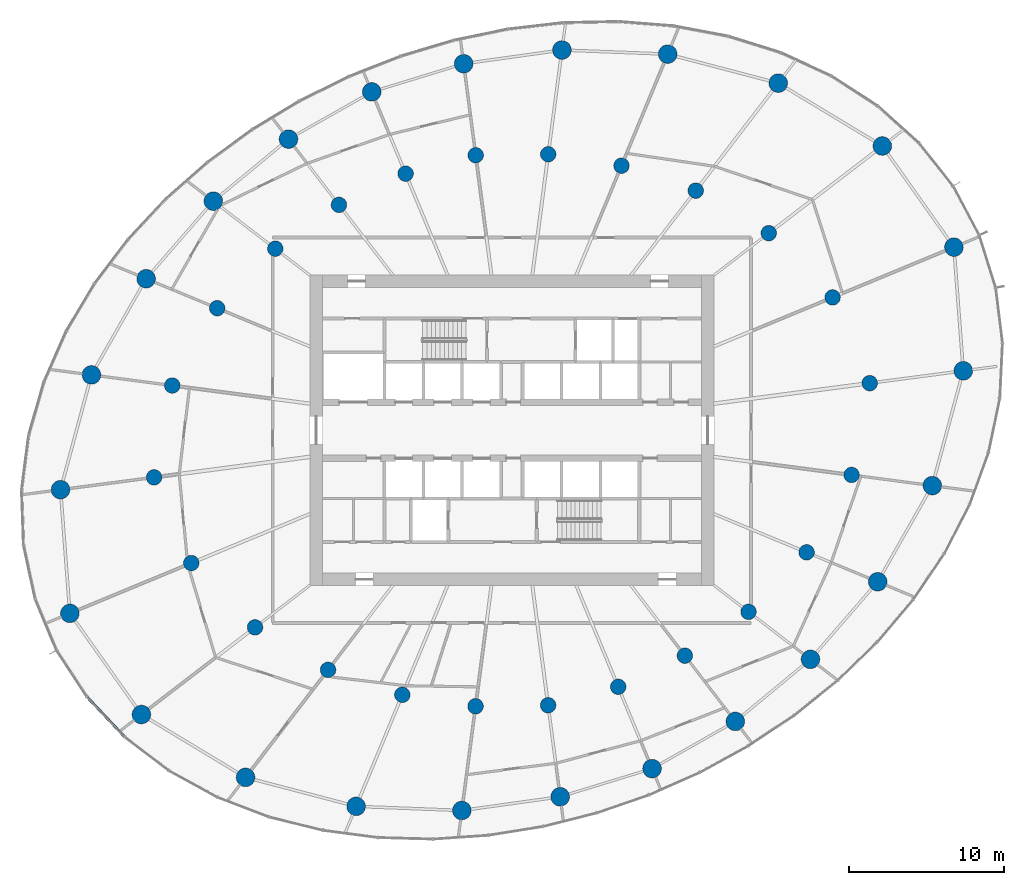
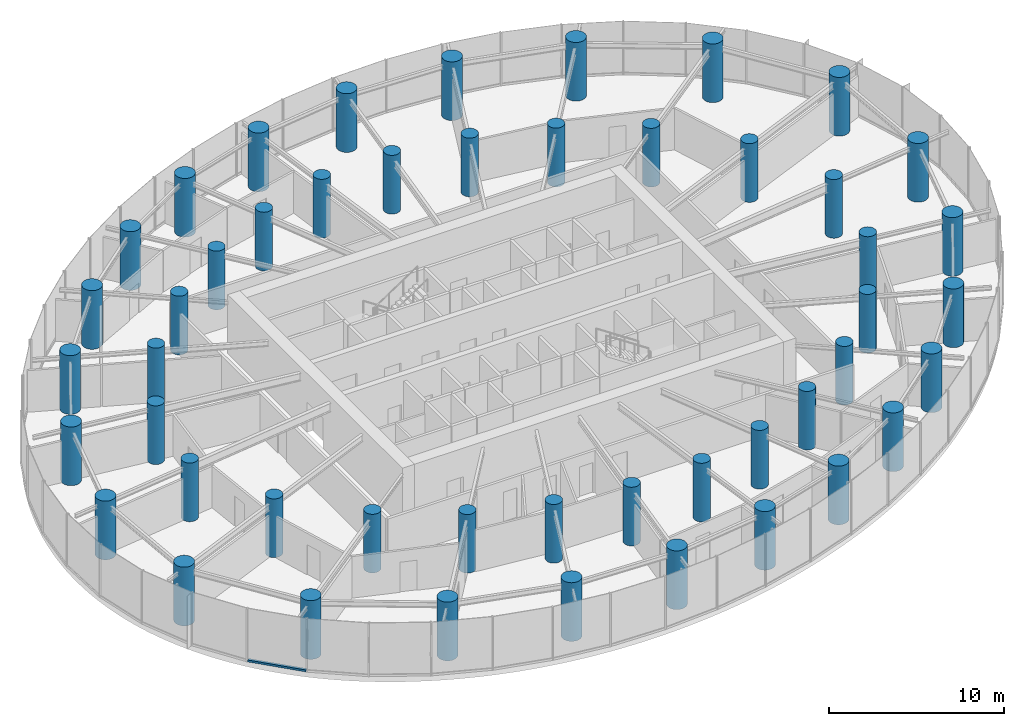
# One storey, part 1 of 17: 48 columns, 1 member, 1 element without a shape of its own.
"""IFC4 building model written with IfcOpenShell, lengths in metres."""

from ifc_helpers import new_model, si_unit, direction, frame, origin, origin_2d, place, context, subcontext, project, spatial, rectangle, circle, extrude, source, transform, mapped, material, layer, layer_set, material_profile, profile_set, type_object, element, aggregate, save


model = new_model("IFC4")

# Units and contexts
model_context = context("Model", 3, precision=1e-05, world=origin(), true_north=direction((0.0, 1.0)))
body_context = subcontext(model_context, "Body", "Model", "MODEL_VIEW")
ifc_project = project(units=[si_unit("LENGTHUNIT", "METRE"), si_unit("AREAUNIT", "SQUARE_METRE"), si_unit("VOLUMEUNIT", "CUBIC_METRE"), si_unit("PLANEANGLEUNIT", "RADIAN"), si_unit("MASSUNIT", "GRAM", prefix="KILO")], contexts=[model_context])

# Site, building, storey
site_placement = place(None, origin())
site = spatial("IfcSite", under=ifc_project, at=site_placement, CompositionType="ELEMENT")
building_placement = place(site_placement, origin())
building = spatial("IfcBuilding", under=site, at=building_placement, Name="Spindrift Exchange Tower", CompositionType="ELEMENT")
storey_placement = place(building_placement, frame((0.0, 0.0, 88.0)))
storey = spatial("IfcBuildingStorey", under=building, at=storey_placement, Name="L20", CompositionType="ELEMENT", Elevation=88.0)

# Columns
ifc_material_1 = material(Name="Concrete 65 MPa", Category="concrete")
ifc_material_profile_1 = material_profile(ifc_material_1, circle(Radius=0.60009765625, at=origin_2d()), Name="RC D1200")
ifc_profile_set_1 = profile_set([ifc_material_profile_1], Name="Concrete 65 MPa")
column_type_1 = type_object("IfcColumnType", Name="RC Perimeter Column D1200 Concrete 65 MPa", PredefinedType="COLUMN", material=ifc_profile_set_1)
shared_shape_1 = source(origin(), body_context, "Body", "SweptSolid", [
    extrude(circle(Radius=0.60009765625, at=origin_2d()), origin(), (0.0, 0.0, 1.0), 4.10009765625),
])
for number, where, z_axis, x_axis, name in (
    (1, (81.056396484375, 51.8251953125, 0.0), (0.0, 0.0, 1.0), (1.0, 0.0, 0.0), "Perimeter column P2-01 L20"),
    (2, (80.45556640625, 59.78662109375, 0.0), (0.0, 0.0, 1.0), (1.0, 0.0, 0.0), "Perimeter column P2-02 L20"),
    (3, (75.84814453125, 66.29931640625, 0.0), (0.0, 0.0, 1.0), (1.0, 0.0, 0.0), "Perimeter column P2-03 L20"),
    (4, (69.145751953125, 70.3447265625, 0.0), (0.0, 0.0, 1.0), (1.0, 0.0, 0.0), "Perimeter column P2-04 L20"),
    (5, (62.029052734375, 72.212158203125, 0.0), (0.0, 0.0, 1.0), (1.0, 0.0, 0.0), "Perimeter column P2-05 L20"),
    (6, (55.222412109375, 72.476806640625, 0.0), (0.0, 0.0, 1.0), (1.0, 0.0, 0.0), "Perimeter column P2-06 L20"),
    (7, (48.8935546875, 71.595458984375, 0.0), (0.0, 0.0, 1.0), (1.0, 0.0, 0.0), "Perimeter column P2-07 L20"),
    (8, (42.978271484375, 69.780517578125, 0.0), (0.0, 0.0, 1.0), (1.0, 0.0, 0.0), "Perimeter column P2-08 L20"),
    (9, (37.617919921875, 66.742919921875, 0.0), (0.0, 0.0, 1.0), (1.0, 0.0, 0.0), "Perimeter column P2-09 L20"),
    (10, (32.7802734375, 62.747802734375, 0.0), (0.0, 0.0, 1.0), (1.0, 0.0, 0.0), "Perimeter column P2-10 L20"),
    (11, (28.4521484375, 57.75390625, 0.0), (0.0, 0.0, 1.0), (1.0, 0.0, 0.0), "Perimeter column P2-11 L20"),
    (12, (24.935546875, 51.56298828125, 0.0), (0.0, 0.0, 1.0), (1.0, 0.0, 0.0), "Perimeter column P2-12 L20"),
    (13, (22.943603515625, 44.1748046875, 0.0), (0.0, 0.0, 1.0), (1.0, 0.0, 0.0), "Perimeter column P2-13 L20"),
    (14, (23.54443359375, 36.21337890625, 0.0), (0.0, 0.0, 1.0), (1.0, 0.0, 0.0), "Perimeter column P2-14 L20"),
    (15, (28.15185546875, 29.70068359375, 0.0), (0.0, 0.0, 1.0), (1.0, 0.0, 0.0), "Perimeter column P2-15 L20"),
    (16, (34.854248046875, 25.6552734375, 0.0), (0.0, 0.0, 1.0), (1.0, 0.0, 0.0), "Perimeter column P2-16 L20"),
    (17, (41.970947265625, 23.787841796875, 0.0), (0.0, 0.0, 1.0), (1.0, 0.0, 0.0), "Perimeter column P2-17 L20"),
    (18, (48.777587890625, 23.523193359375, 0.0), (0.0, 0.0, 1.0), (1.0, 0.0, 0.0), "Perimeter column P2-18 L20"),
    (19, (55.1064453125, 24.404541015625, 0.0), (0.0, 0.0, 1.0), (1.0, 0.0, 0.0), "Perimeter column P2-19 L20"),
    (20, (61.021728515625, 26.219482421875, 0.0), (0.0, 0.0, 1.0), (1.0, 0.0, 0.0), "Perimeter column P2-20 L20"),
    (21, (66.382080078125, 29.257080078125, 0.0), (0.0, 0.0, 1.0), (1.0, 0.0, 0.0), "Perimeter column P2-21 L20"),
    (22, (71.2197265625, 33.252197265625, 0.0), (0.0, 0.0, 1.0), (1.0, 0.0, 0.0), "Perimeter column P2-22 L20"),
    (23, (75.5478515625, 38.24609375, 0.0), (0.0, 0.0, 1.0), (1.0, 0.0, 0.0), "Perimeter column P2-23 L20"),
    (24, (79.064453125, 44.43701171875, 0.0), (0.0, 0.0, 1.0), (1.0, 0.0, 0.0), "Perimeter column P2-24 L20"),
):
    element("IfcColumn", number, at=place(storey_placement, frame(where, z_axis=z_axis, x_axis=x_axis)), inside=storey, type_object=column_type_1, Name=name, PredefinedType="COLUMN", context=body_context, shape_type="MappedRepresentation", body=[
        mapped(shared_shape_1, transform((0.0, 0.0, 0.0), scale=1.0)),
    ])
ifc_material_profile_2 = material_profile(ifc_material_1, circle(Radius=0.5, at=origin_2d()), Name="RC D1000")
ifc_profile_set_2 = profile_set([ifc_material_profile_2], Name="Concrete 65 MPa")
column_type_2 = type_object("IfcColumnType", Name="RC Inner Column D1000 Concrete 65 MPa", PredefinedType="COLUMN", material=ifc_profile_set_2)
shared_shape_2 = source(origin(), body_context, "Body", "SweptSolid", [
    extrude(circle(Radius=0.5, at=origin_2d()), origin(), (0.0, 0.0, 1.0), 4.10009765625),
])
for number, where, z_axis, x_axis, name in (
    (25, (75.033935546875, 51.032470703125, 0.0), (0.0, 0.0, 1.0), (1.0, 0.0, 0.0), "Inner column Q2-01 L20"),
    (26, (72.639404296875, 56.549072265625, 0.0), (0.0, 0.0, 1.0), (1.0, 0.0, 0.0), "Inner column Q2-02 L20"),
    (27, (68.534912109375, 60.6875, 0.0), (0.0, 0.0, 1.0), (1.0, 0.0, 0.0), "Inner column Q2-03 L20"),
    (28, (63.835205078125, 63.423828125, 0.0), (0.0, 0.0, 1.0), (1.0, 0.0, 0.0), "Inner column Q2-04 L20"),
    (29, (59.0546875, 65.03125, 0.0), (0.0, 0.0, 1.0), (1.0, 0.0, 0.0), "Inner column Q2-05 L20"),
    (30, (54.339111328125, 65.767333984375, 0.0), (0.0, 0.0, 1.0), (1.0, 0.0, 0.0), "Inner column Q2-06 L20"),
    (31, (49.669189453125, 65.703125, 0.0), (0.0, 0.0, 1.0), (1.0, 0.0, 0.0), "Inner column Q2-07 L20"),
    (32, (45.158203125, 64.517578125, 0.0), (0.0, 0.0, 1.0), (1.0, 0.0, 0.0), "Inner column Q2-08 L20"),
    (33, (40.8662109375, 62.510009765625, 0.0), (0.0, 0.0, 1.0), (1.0, 0.0, 0.0), "Inner column Q2-09 L20"),
    (34, (36.767578125, 59.688232421875, 0.0), (0.0, 0.0, 1.0), (1.0, 0.0, 0.0), "Inner column Q2-10 L20"),
    (35, (33.027587890625, 55.858642578125, 0.0), (0.0, 0.0, 1.0), (1.0, 0.0, 0.0), "Inner column Q2-11 L20"),
    (36, (30.13671875, 50.87841796875, 0.0), (0.0, 0.0, 1.0), (1.0, 0.0, 0.0), "Inner column Q2-12 L20"),
    (37, (28.966064453125, 44.967529296875, 0.0), (0.0, 0.0, 1.0), (1.0, 0.0, 0.0), "Inner column Q2-13 L20"),
    (38, (31.360595703125, 39.450927734375, 0.0), (0.0, 0.0, 1.0), (1.0, 0.0, 0.0), "Inner column Q2-14 L20"),
    (39, (35.465087890625, 35.3125, 0.0), (0.0, 0.0, 1.0), (1.0, 0.0, 0.0), "Inner column Q2-15 L20"),
    (40, (40.164794921875, 32.576171875, 0.0), (0.0, 0.0, 1.0), (1.0, 0.0, 0.0), "Inner column Q2-16 L20"),
    (41, (44.9453125, 30.96875, 0.0), (0.0, 0.0, 1.0), (1.0, 0.0, 0.0), "Inner column Q2-17 L20"),
    (42, (49.660888671875, 30.232666015625, 0.0), (0.0, 0.0, 1.0), (1.0, 0.0, 0.0), "Inner column Q2-18 L20"),
    (43, (54.330810546875, 30.296875, 0.0), (0.0, 0.0, 1.0), (1.0, 0.0, 0.0), "Inner column Q2-19 L20"),
    (44, (58.841796875, 31.482421875, 0.0), (0.0, 0.0, 1.0), (1.0, 0.0, 0.0), "Inner column Q2-20 L20"),
    (45, (63.1337890625, 33.489990234375, 0.0), (0.0, 0.0, 1.0), (1.0, 0.0, 0.0), "Inner column Q2-21 L20"),
    (46, (67.232421875, 36.311767578125, 0.0), (0.0, 0.0, 1.0), (1.0, 0.0, 0.0), "Inner column Q2-22 L20"),
    (47, (70.972412109375, 40.141357421875, 0.0), (0.0, 0.0, 1.0), (1.0, 0.0, 0.0), "Inner column Q2-23 L20"),
    (48, (73.86328125, 45.12158203125, 0.0), (0.0, 0.0, 1.0), (1.0, 0.0, 0.0), "Inner column Q2-24 L20"),
):
    element("IfcColumn", number, at=place(storey_placement, frame(where, z_axis=z_axis, x_axis=x_axis)), inside=storey, type_object=column_type_2, Name=name, PredefinedType="COLUMN", context=body_context, shape_type="MappedRepresentation", body=[
        mapped(shared_shape_2, transform((0.0, 0.0, 0.0), scale=1.0)),
    ])

# Curtain wall, member
ifc_material_2 = material(Name="Fritted laminated glass with bronze frame", Category="glass")
ifc_layer = layer(ifc_material_2, 0.18994140625)
ifc_layer_set = layer_set([ifc_layer], Name="ZONE 2 BRONZE FRITTED WALL")
curtain_wall_type = type_object("IfcCurtainWallType", Name="ZONE 2 BRONZE FRITTED WALL", PredefinedType="NOTDEFINED", material=ifc_layer_set)
curtain_wall_placement = place(storey_placement, origin())
curtain_wall = element("IfcCurtainWall", 49, at=curtain_wall_placement, inside=storey, type_object=curtain_wall_type, Name="L20 Zone 2 Bronze Fritted Wall run 5", PredefinedType="NOTDEFINED")
ifc_material_3 = material(Name="Bronze anodised aluminium", Category="aluminium")
ifc_material_profile_3 = material_profile(ifc_material_3, rectangle(XDim=0.169921875, YDim=0.139892578125, at=origin_2d()), Name="ZONE 2 BRONZE FRITTED WALL TRANSOM 170X140")
ifc_profile_set_3 = profile_set([ifc_material_profile_3], Name="Bronze anodised aluminium")
member_type = type_object("IfcMemberType", Name="ZONE 2 BRONZE FRITTED WALL TRANSOM 170X140", PredefinedType="USERDEFINED", material=ifc_profile_set_3)
shared_shape_3 = source(origin(), body_context, "Body", "SweptSolid", [
    extrude(rectangle(XDim=0.169921875, YDim=0.139892578125, at=origin_2d()), origin(), (0.0, 0.0, 1.0), 3.48828125),
])
member_placement = place(storey_placement, frame((24.655517578125, 30.8203125, 0.070068359375), z_axis=(0.685473848713, -0.728097248127, 0.0), x_axis=(0.728097248127, 0.685473848713, 0.0)))
member = element("IfcMember", 50, at=member_placement, type_object=member_type, Name="L20 transom CW-2.28", ObjectType="TRANSOM", PredefinedType="USERDEFINED", context=body_context, shape_type="MappedRepresentation", body=[
    mapped(shared_shape_3, transform((0.0, 0.0, 0.0), scale=1.0)),
])
aggregate(curtain_wall, [member])

save(model, "model.ifc")
